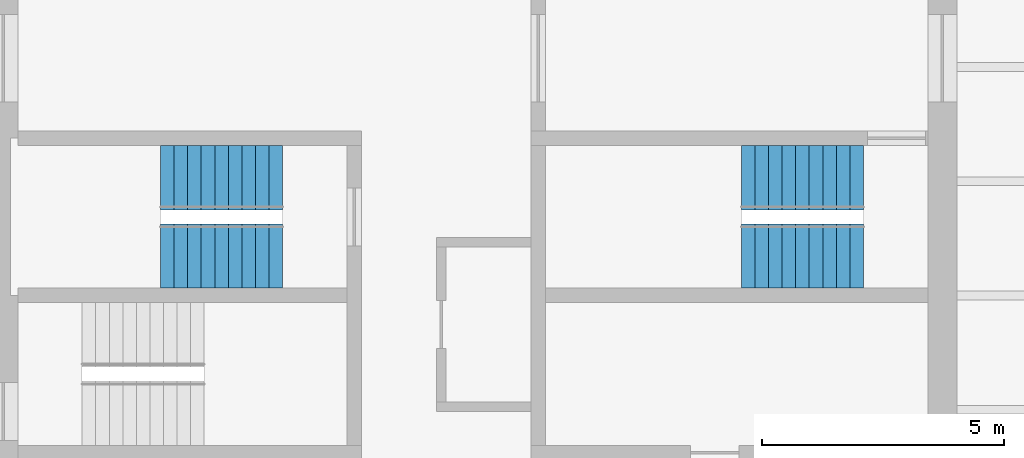
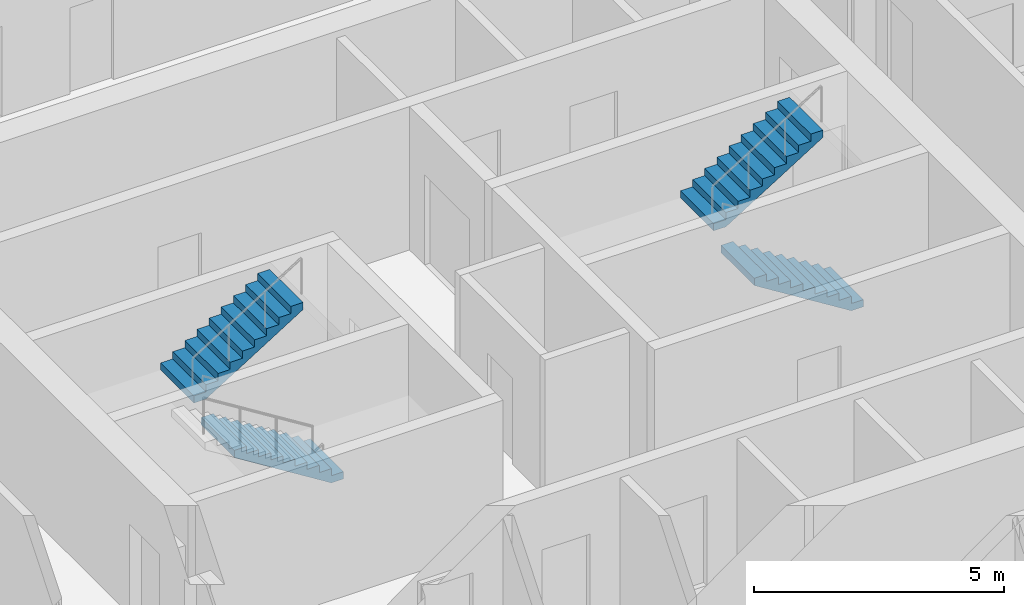
# One storey, part 8 of 9: 4 stair flights, 2 elements without a shape of their own.
"""IFC4 building model written with IfcOpenShell, lengths in metres."""

from ifc_helpers import new_model, si_unit, direction, frame, origin, place, context, subcontext, project, spatial, polyline, outline, extrude, material, type_object, element, aggregate, save


model = new_model("IFC4")

# Units and contexts
model_context = context("Model", 3, precision=1e-05, world=origin(), true_north=direction((0.0, 1.0)))
body_context = subcontext(model_context, "Body", "Model", "MODEL_VIEW")
ifc_project = project(units=[si_unit("LENGTHUNIT", "METRE"), si_unit("AREAUNIT", "SQUARE_METRE"), si_unit("VOLUMEUNIT", "CUBIC_METRE"), si_unit("PLANEANGLEUNIT", "RADIAN"), si_unit("MASSUNIT", "GRAM", prefix="KILO")], contexts=[model_context])

# Site, building, storey
site_placement = place(None, origin())
site = spatial("IfcSite", under=ifc_project, at=site_placement, CompositionType="ELEMENT")
building_placement = place(site_placement, origin())
building = spatial("IfcBuilding", under=site, at=building_placement, Name="Turquesa Mirador Hotel Tower", CompositionType="ELEMENT")
storey_placement = place(building_placement, frame((0.0, 0.0, 189.800048828125)))
storey = spatial("IfcBuildingStorey", under=building, at=storey_placement, Name="L51", CompositionType="ELEMENT", Elevation=189.800048828125)

# Stair, stair flights
ifc_material_1 = material(Name="Concrete C35/45", Category="concrete")
stair_type = type_object("IfcStairType", Name="ESCAPE STAIR CORE", PredefinedType="HALF_TURN_STAIR", material=ifc_material_1)
stair_1_placement = place(storey_placement, origin())
stair_1 = element("IfcStair", 1, at=stair_1_placement, inside=storey, type_object=stair_type, Name="Stair ST1 L51 to L52", PredefinedType="HALF_TURN_STAIR")
ifc_material_2 = material(Name="Concrete C35/45 precast flight", Category="concrete")
stair_flight_type = type_object("IfcStairFlightType", Name="STAIR FLIGHT 1330", PredefinedType="STRAIGHT", material=ifc_material_2)
stair_flight_1_placement = place(storey_placement, frame((51.070068359375, 45.81494140625, 0.0), z_axis=(0.0, 0.0, 1.0), x_axis=(-1.0, 0.0, 0.0)))
stair_flight_1 = element("IfcStairFlight", 2, at=stair_flight_1_placement, type_object=stair_flight_type, Name="ST1 flight 1", NumberOfRisers=10, NumberOfTreads=9, PredefinedType="STRAIGHT", RiserHeight=0.175, TreadLength=0.28, context=body_context, shape_type="SweptSolid", body=[
    extrude(outline(polyline([(0.0, 0.0), (0.0, 0.175048828125), (0.280029296875, 0.175048828125), (0.280029296875, 0.35009765625), (0.56005859375, 0.35009765625), (0.56005859375, 0.52490234375), (0.840087890625, 0.52490234375), (0.840087890625, 0.699951171875), (1.1201171875, 0.699951171875), (1.1201171875, 0.875), (1.39990234375, 0.875), (1.39990234375, 1.050048828125), (1.679931640625, 1.050048828125), (1.679931640625, 1.22509765625), (1.9599609375, 1.22509765625), (1.9599609375, 1.39990234375), (2.239990234375, 1.39990234375), (2.239990234375, 1.574951171875), (2.52001953125, 1.574951171875), (2.52001953125, 1.75), (2.52001953125, 1.398193359375), (0.28271484375, 0.0), (0.0, 0.0)])), frame((0.0, 0.6650390625, 0.0), z_axis=(0.0, -1.0, 0.0), x_axis=(1.0, 0.0, 0.0)), (0.0, 0.0, 1.0), 1.330078125),
])
stair_flight_2_placement = place(storey_placement, frame((48.550048828125, 47.43505859375, 1.75), z_axis=(0.0, 0.0, 1.0), x_axis=(1.0, 0.0, 0.0)))
stair_flight_2 = element("IfcStairFlight", 3, at=stair_flight_2_placement, type_object=stair_flight_type, Name="ST1 flight 2", NumberOfRisers=10, NumberOfTreads=9, PredefinedType="STRAIGHT", RiserHeight=0.175, TreadLength=0.28, context=body_context, shape_type="SweptSolid", body=[
    extrude(outline(polyline([(0.0, 0.0), (0.0, 0.175048828125), (0.280029296875, 0.175048828125), (0.280029296875, 0.35009765625), (0.56005859375, 0.35009765625), (0.56005859375, 0.52490234375), (0.840087890625, 0.52490234375), (0.840087890625, 0.699951171875), (1.1201171875, 0.699951171875), (1.1201171875, 0.875), (1.39990234375, 0.875), (1.39990234375, 1.050048828125), (1.679931640625, 1.050048828125), (1.679931640625, 1.22509765625), (1.9599609375, 1.22509765625), (1.9599609375, 1.39990234375), (2.239990234375, 1.39990234375), (2.239990234375, 1.574951171875), (2.52001953125, 1.574951171875), (2.52001953125, 1.75), (2.52001953125, 1.398193359375), (0.28271484375, 0.0), (0.0, 0.0)])), frame((0.0, 0.6650390625, 0.0), z_axis=(0.0, -1.0, 0.0), x_axis=(1.0, 0.0, 0.0)), (0.0, 0.0, 1.0), 1.330078125),
])
aggregate(stair_1, [stair_flight_1, stair_flight_2])

stair_2_placement = place(storey_placement, origin())
stair_2 = element("IfcStair", 4, at=stair_2_placement, inside=storey, type_object=stair_type, Name="Stair ST3 L51 to L52", PredefinedType="HALF_TURN_STAIR")
stair_flight_3_placement = place(storey_placement, frame((63.070068359375, 45.81494140625, 0.0), z_axis=(0.0, 0.0, 1.0), x_axis=(-1.0, 0.0, 0.0)))
stair_flight_3 = element("IfcStairFlight", 5, at=stair_flight_3_placement, type_object=stair_flight_type, Name="ST3 flight 1", NumberOfRisers=10, NumberOfTreads=9, PredefinedType="STRAIGHT", RiserHeight=0.175, TreadLength=0.28, context=body_context, shape_type="SweptSolid", body=[
    extrude(outline(polyline([(0.0, 0.0), (0.0, 0.175048828125), (0.280029296875, 0.175048828125), (0.280029296875, 0.35009765625), (0.56005859375, 0.35009765625), (0.56005859375, 0.52490234375), (0.840087890625, 0.52490234375), (0.840087890625, 0.699951171875), (1.1201171875, 0.699951171875), (1.1201171875, 0.875), (1.39990234375, 0.875), (1.39990234375, 1.050048828125), (1.679931640625, 1.050048828125), (1.679931640625, 1.22509765625), (1.9599609375, 1.22509765625), (1.9599609375, 1.39990234375), (2.239990234375, 1.39990234375), (2.239990234375, 1.574951171875), (2.52001953125, 1.574951171875), (2.52001953125, 1.75), (2.52001953125, 1.398193359375), (0.28271484375, 0.0), (0.0, 0.0)])), frame((0.0, 0.6650390625, 0.0), z_axis=(0.0, -1.0, 0.0), x_axis=(1.0, 0.0, 0.0)), (0.0, 0.0, 1.0), 1.330078125),
])
stair_flight_4_placement = place(storey_placement, frame((60.550048828125, 47.43505859375, 1.75), z_axis=(0.0, 0.0, 1.0), x_axis=(1.0, 0.0, 0.0)))
stair_flight_4 = element("IfcStairFlight", 6, at=stair_flight_4_placement, type_object=stair_flight_type, Name="ST3 flight 2", NumberOfRisers=10, NumberOfTreads=9, PredefinedType="STRAIGHT", RiserHeight=0.175, TreadLength=0.28, context=body_context, shape_type="SweptSolid", body=[
    extrude(outline(polyline([(0.0, 0.0), (0.0, 0.175048828125), (0.280029296875, 0.175048828125), (0.280029296875, 0.35009765625), (0.56005859375, 0.35009765625), (0.56005859375, 0.52490234375), (0.840087890625, 0.52490234375), (0.840087890625, 0.699951171875), (1.1201171875, 0.699951171875), (1.1201171875, 0.875), (1.39990234375, 0.875), (1.39990234375, 1.050048828125), (1.679931640625, 1.050048828125), (1.679931640625, 1.22509765625), (1.9599609375, 1.22509765625), (1.9599609375, 1.39990234375), (2.239990234375, 1.39990234375), (2.239990234375, 1.574951171875), (2.52001953125, 1.574951171875), (2.52001953125, 1.75), (2.52001953125, 1.398193359375), (0.28271484375, 0.0), (0.0, 0.0)])), frame((0.0, 0.6650390625, 0.0), z_axis=(0.0, -1.0, 0.0), x_axis=(1.0, 0.0, 0.0)), (0.0, 0.0, 1.0), 1.330078125),
])
aggregate(stair_2, [stair_flight_3, stair_flight_4])

save(model, "model.ifc")
